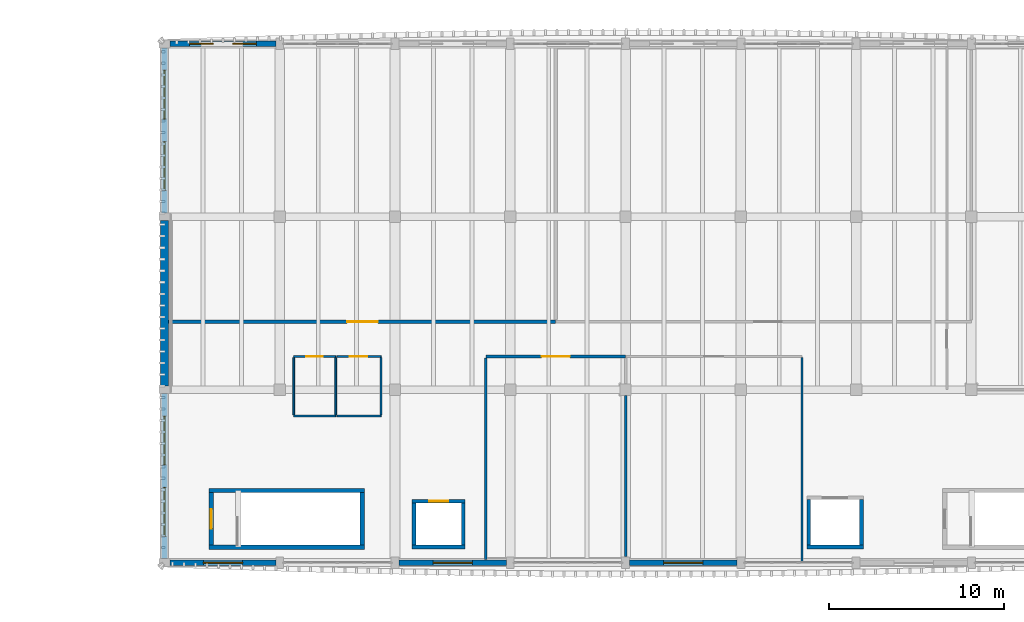
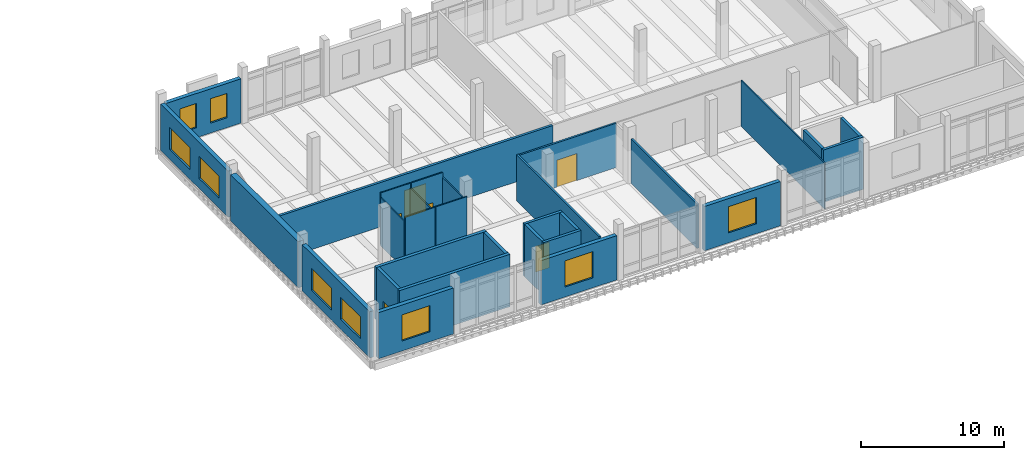
# One storey, part 23 of 37: 30 walls, 9 windows, 6 doors, 15 openings.
"""IFC4 building model written with IfcOpenShell, lengths in metres."""

from ifc_helpers import new_model, si_unit, direction, frame, frame_2d, origin, place, context, subcontext, project, spatial, rectangle, extrude, material, layer, layer_set, type_object, element, fill, save


model = new_model("IFC4")

# Units and contexts
model_context = context("Model", 3, precision=1e-05, world=origin(), true_north=direction((0.0, 1.0)))
body_context = subcontext(model_context, "Body", "Model", "MODEL_VIEW")
ifc_project = project(units=[si_unit("LENGTHUNIT", "METRE"), si_unit("AREAUNIT", "SQUARE_METRE"), si_unit("VOLUMEUNIT", "CUBIC_METRE"), si_unit("PLANEANGLEUNIT", "RADIAN"), si_unit("MASSUNIT", "GRAM", prefix="KILO")], contexts=[model_context])

# Site, building, storey
site_placement = place(None, origin())
site = spatial("IfcSite", under=ifc_project, at=site_placement, CompositionType="ELEMENT")
building_placement = place(site_placement, origin())
building = spatial("IfcBuilding", under=site, at=building_placement, Name="Dornvale Research Institute", CompositionType="ELEMENT")
storey_placement = place(building_placement, frame((0.0, 0.0, 29.39990234375)))
storey = spatial("IfcBuildingStorey", under=building, at=storey_placement, Name="L06", CompositionType="ELEMENT", Elevation=29.39990234375)

# Wall, opening, door
ifc_material_1 = material(Name="Fire-Rated Gypsum Board on Cold-Formed Steel Studs", Category="steel")
ifc_layer_1 = layer(ifc_material_1, 0.199951171875)
ifc_layer_set_1 = layer_set([ifc_layer_1], Name="Fire-Rated Gypsum Board on Cold-Formed Steel Studs")
wall_type_1 = type_object("IfcWallType", Name="Partition_FireWall_200", PredefinedType="PARTITIONING", material=ifc_layer_set_1)
wall_1_placement = place(storey_placement, frame((119.0400390625, 106.199951171875, 0.0), z_axis=(0.0, 0.0, 1.0), x_axis=(1.0, 0.0, 0.0)))
wall_1 = element("IfcWall", 1, at=wall_1_placement, inside=storey, type_object=wall_type_1, Name="L06 V4 interior partition #525", PredefinedType="PARTITIONING", context=body_context, shape_type="SweptSolid", body=[
    extrude(rectangle(XDim=22.159912109375, YDim=0.199951171875, at=frame_2d((11.080078125, 0.0))), origin(), (0.0, 0.0, 1.0), 3.780029296875),
])
opening_1_placement = place(wall_1_placement, frame((10.219970703125, 0.0, 0.0)))
opening_1 = element("IfcOpeningElement", 2, at=opening_1_placement, cuts=wall_1, Name="Opening ID-14", PredefinedType="OPENING", context=body_context, shape_type="SweptSolid", body=[
    extrude(rectangle(XDim=1.760009765625, YDim=2.35009765625, at=frame_2d((0.8798828125, 1.175048828125))), frame((0.0, 0.114990234375, 0.0), z_axis=(0.0, -1.0, 0.0), x_axis=(1.0, 0.0, 0.0)), (0.0, 0.0, 1.0), 0.22998046875),
])
ifc_material_2 = material(Name="Insulated Fire-Rated Hollow Metal Door Assembly")
door_type_1 = type_object("IfcDoorType", Name="Door_Plant_1760x2350", OperationType="SINGLE_SWING_LEFT", PredefinedType="DOOR", material=ifc_material_2)
door_1_placement = place(opening_1_placement, origin())
door_1 = element("IfcDoor", 3, at=door_1_placement, inside=storey, type_object=door_type_1, Name="L06 High-Plume Laboratory Exhaust Fan and Heat-Recovery Plant door #217", OperationType="DOUBLE_DOOR_SINGLE_SWING", OverallHeight=2.35009765625, OverallWidth=1.760009765625, PredefinedType="DOOR", context=body_context, shape_type="SweptSolid", body=[
    extrude(rectangle(XDim=1.760009765625, YDim=2.35009765625, at=frame_2d((0.8798828125, 1.175048828125))), frame((0.0, 0.02490234375, 0.0), z_axis=(0.0, -1.0, 0.0), x_axis=(1.0, 0.0, 0.0)), (0.0, 0.0, 1.0), 0.050048828125),
])
fill(opening_1, door_1)

ifc_material_3 = material(Name="Acoustic Insulated Double-Stud Laboratory Partition")
ifc_layer_2 = layer(ifc_material_3, 0.14990234375)
ifc_layer_set_2 = layer_set([ifc_layer_2], Name="Acoustic Insulated Double-Stud Laboratory Partition")
wall_type_2 = type_object("IfcWallType", Name="Partition_Lab_150", PredefinedType="PARTITIONING", material=ifc_layer_set_2)
wall_2_placement = place(storey_placement, frame((137.199951171875, 104.199951171875, 0.0), z_axis=(0.0, 0.0, 1.0), x_axis=(1.0, 0.0, 0.0)))
wall_2 = element("IfcWall", 4, at=wall_2_placement, inside=storey, type_object=wall_type_2, Name="L06 V4 interior partition #533", PredefinedType="PARTITIONING", context=body_context, shape_type="SweptSolid", body=[
    extrude(rectangle(XDim=8.0, YDim=0.14990234375, at=frame_2d((4.0, 0.0))), origin(), (0.0, 0.0, 1.0), 3.780029296875),
])
opening_2_placement = place(wall_2_placement, frame((3.18994140625, 0.0, 0.0)))
opening_2 = element("IfcOpeningElement", 5, at=opening_2_placement, cuts=wall_2, Name="Opening ID-04", PredefinedType="OPENING", context=body_context, shape_type="SweptSolid", body=[
    extrude(rectangle(XDim=1.6201171875, YDim=2.300048828125, at=frame_2d((0.81005859375, 1.14990234375))), frame((0.0, 0.08984375, 0.0), z_axis=(0.0, -1.0, 0.0), x_axis=(1.0, 0.0, 0.0)), (0.0, 0.0, 1.0), 0.179931640625),
])
ifc_material_4 = material(Name="Insulated Fire-Rated Hollow Metal Door Assembly")
door_type_2 = type_object("IfcDoorType", Name="Door_WetLab_1620x2300", OperationType="SINGLE_SWING_LEFT", PredefinedType="DOOR", material=ifc_material_4)
door_2_placement = place(opening_2_placement, origin())
door_2 = element("IfcDoor", 6, at=door_2_placement, inside=storey, type_object=door_type_2, Name="L06 Laboratory Instrument Support Room L06 door #220", OperationType="SINGLE_SWING_LEFT", OverallHeight=2.300048828125, OverallWidth=1.6201171875, PredefinedType="DOOR", context=body_context, shape_type="SweptSolid", body=[
    extrude(rectangle(XDim=1.6201171875, YDim=2.300048828125, at=frame_2d((0.81005859375, 1.14990234375))), frame((0.0, 0.02490234375, 0.0), z_axis=(0.0, -1.0, 0.0), x_axis=(1.0, 0.0, 0.0)), (0.0, 0.0, 1.0), 0.050048828125),
])
fill(opening_2, door_2)

# Walls
wall_3_placement = place(storey_placement, frame((137.199951171875, 92.574951171875, 0.0), z_axis=(0.0, 0.0, 1.0), x_axis=(0.0, 1.0, 0.0)))
element("IfcWall", 7, at=wall_3_placement, inside=storey, type_object=wall_type_2, Name="L06 V4 interior partition #534", PredefinedType="PARTITIONING", context=body_context, shape_type="SweptSolid", body=[
    extrude(rectangle(XDim=11.53515625, YDim=0.14990234375, at=frame_2d((5.767578125, 0.0))), origin(), (0.0, 0.0, 1.0), 3.93017578125),
])
wall_4_placement = place(storey_placement, frame((145.199951171875, 92.7451171875, 0.0), z_axis=(0.0, 0.0, 1.0), x_axis=(0.0, 1.0, 0.0)))
element("IfcWall", 8, at=wall_4_placement, inside=storey, type_object=wall_type_2, Name="L06 V4 interior partition #535", PredefinedType="PARTITIONING", context=body_context, shape_type="SweptSolid", body=[
    extrude(rectangle(XDim=9.2099609375, YDim=0.14990234375, at=frame_2d((4.60498046875, 0.0))), origin(), (0.0, 0.0, 1.0), 3.780029296875),
])
ifc_material_5 = material(Name="Acoustic Insulated Double-Stud Laboratory Partition")
ifc_layer_3 = layer(ifc_material_5, 0.10009765625)
ifc_layer_set_3 = layer_set([ifc_layer_3], Name="Acoustic Insulated Double-Stud Laboratory Partition")
wall_type_3 = type_object("IfcWallType", Name="Partition_Office_100", PredefinedType="PARTITIONING", material=ifc_layer_set_3)
wall_5_placement = place(storey_placement, frame((126.199951171875, 100.800048828125, 0.0), z_axis=(0.0, 0.0, 1.0), x_axis=(1.0, 0.0, 0.0)))
element("IfcWall", 9, at=wall_5_placement, inside=storey, type_object=wall_type_3, Name="L06 V4 interior partition #518", PredefinedType="PARTITIONING", context=body_context, shape_type="SweptSolid", body=[
    extrude(rectangle(XDim=2.400146484375, YDim=0.10009765625, at=frame_2d((1.2001953125, 0.0))), origin(), (0.0, 0.0, 1.0), 4.460205078125),
])

# Wall, opening, door
wall_6_placement = place(storey_placement, frame((126.199951171875, 104.199951171875, 0.0), z_axis=(0.0, 0.0, 1.0), x_axis=(1.0, 0.0, 0.0)))
wall_6 = element("IfcWall", 10, at=wall_6_placement, inside=storey, type_object=wall_type_3, Name="L06 V4 interior partition #519", PredefinedType="PARTITIONING", context=body_context, shape_type="SweptSolid", body=[
    extrude(rectangle(XDim=2.400146484375, YDim=0.10009765625, at=frame_2d((1.2001953125, 0.0))), origin(), (0.0, 0.0, 1.0), 4.460205078125),
])
opening_3_placement = place(wall_6_placement, frame((0.72509765625, 0.0, 0.0)))
opening_3 = element("IfcOpeningElement", 11, at=opening_3_placement, cuts=wall_6, Name="Opening ID-23", PredefinedType="OPENING", context=body_context, shape_type="SweptSolid", body=[
    extrude(rectangle(XDim=0.949951171875, YDim=2.14990234375, at=frame_2d((0.47509765625, 1.074951171875))), frame((0.0, 0.06494140625, 0.0), z_axis=(0.0, -1.0, 0.0), x_axis=(1.0, 0.0, 0.0)), (0.0, 0.0, 1.0), 0.130126953125),
])
ifc_material_6 = material(Name="Phenolic-Faced Solid-Core Laboratory Door Assembly")
door_type_3 = type_object("IfcDoorType", Name="Door_WC_950x2150", OperationType="SINGLE_SWING_LEFT", PredefinedType="DOOR", material=ifc_material_6)
door_3_placement = place(opening_3_placement, origin())
door_3 = element("IfcDoor", 12, at=door_3_placement, inside=storey, type_object=door_type_3, Name="L06 Wet Wing Male Restroom L06 door #215", OperationType="SINGLE_SWING_RIGHT", OverallHeight=2.14990234375, OverallWidth=0.949951171875, PredefinedType="DOOR", context=body_context, shape_type="SweptSolid", body=[
    extrude(rectangle(XDim=0.949951171875, YDim=2.14990234375, at=frame_2d((0.47509765625, 1.074951171875))), frame((0.0, 0.02490234375, 0.0), z_axis=(0.0, -1.0, 0.0), x_axis=(1.0, 0.0, 0.0)), (0.0, 0.0, 1.0), 0.050048828125),
])
fill(opening_3, door_3)

# Walls
for number, where, z_axis, x_axis, name in (
    (13, (126.199951171875, 100.864990234375, 0.0), (0.0, 0.0, 1.0), (0.0, 1.0, 0.0), "L06 V4 interior partition #520"),
    (14, (128.60009765625, 100.864990234375, 0.0), (0.0, 0.0, 1.0), (0.0, 1.0, 0.0), "L06 V4 interior partition #521"),
):
    element("IfcWall", number, at=place(storey_placement, frame(where, z_axis=z_axis, x_axis=x_axis)), inside=storey, type_object=wall_type_3, Name=name, PredefinedType="PARTITIONING", context=body_context, shape_type="SweptSolid", body=[
        extrude(rectangle(XDim=3.27001953125, YDim=0.10009765625, at=frame_2d((1.635009765625, 0.0))), origin(), (0.0, 0.0, 1.0), 4.065185546875),
    ])
wall_7_placement = place(storey_placement, frame((128.6650390625, 100.800048828125, 0.0), z_axis=(0.0, 0.0, 1.0), x_axis=(1.0, 0.0, 0.0)))
element("IfcWall", 15, at=wall_7_placement, inside=storey, type_object=wall_type_3, Name="L06 V4 interior partition #522", PredefinedType="PARTITIONING", context=body_context, shape_type="SweptSolid", body=[
    extrude(rectangle(XDim=2.534912109375, YDim=0.10009765625, at=frame_2d((1.267578125, 0.0))), origin(), (0.0, 0.0, 1.0), 4.460205078125),
])

# Wall, opening, door
wall_8_placement = place(storey_placement, frame((128.6650390625, 104.199951171875, 0.0), z_axis=(0.0, 0.0, 1.0), x_axis=(1.0, 0.0, 0.0)))
wall_8 = element("IfcWall", 16, at=wall_8_placement, inside=storey, type_object=wall_type_3, Name="L06 V4 interior partition #523", PredefinedType="PARTITIONING", context=body_context, shape_type="SweptSolid", body=[
    extrude(rectangle(XDim=2.534912109375, YDim=0.10009765625, at=frame_2d((1.267578125, 0.0))), origin(), (0.0, 0.0, 1.0), 4.460205078125),
])
opening_4_placement = place(wall_8_placement, frame((0.735107421875, 0.0, 0.0)))
opening_4 = element("IfcOpeningElement", 17, at=opening_4_placement, cuts=wall_8, Name="Opening ID-24", PredefinedType="OPENING", context=body_context, shape_type="SweptSolid", body=[
    extrude(rectangle(XDim=1.0, YDim=2.14990234375, at=frame_2d((0.5, 1.074951171875))), frame((0.0, 0.06494140625, 0.0), z_axis=(0.0, -1.0, 0.0), x_axis=(1.0, 0.0, 0.0)), (0.0, 0.0, 1.0), 0.130126953125),
])
ifc_material_7 = material(Name="Phenolic-Faced Solid-Core Laboratory Door Assembly")
door_type_4 = type_object("IfcDoorType", Name="Door_AccWC_1000x2150", OperationType="SINGLE_SWING_LEFT", PredefinedType="DOOR", material=ifc_material_7)
door_4_placement = place(opening_4_placement, origin())
door_4 = element("IfcDoor", 18, at=door_4_placement, inside=storey, type_object=door_type_4, Name="L06 Wet Wing Female and Accessible Restroom L06 door #216", OperationType="SINGLE_SWING_LEFT", OverallHeight=2.14990234375, OverallWidth=1.0, PredefinedType="DOOR", context=body_context, shape_type="SweptSolid", body=[
    extrude(rectangle(XDim=1.0, YDim=2.14990234375, at=frame_2d((0.5, 1.074951171875))), frame((0.0, 0.02490234375, 0.0), z_axis=(0.0, -1.0, 0.0), x_axis=(1.0, 0.0, 0.0)), (0.0, 0.0, 1.0), 0.050048828125),
])
fill(opening_4, door_4)

# Walls
wall_9_placement = place(storey_placement, frame((131.199951171875, 100.864990234375, 0.0), z_axis=(0.0, 0.0, 1.0), x_axis=(0.0, 1.0, 0.0)))
element("IfcWall", 19, at=wall_9_placement, inside=storey, type_object=wall_type_3, Name="L06 V4 interior partition #524", PredefinedType="PARTITIONING", context=body_context, shape_type="SweptSolid", body=[
    extrude(rectangle(XDim=3.27001953125, YDim=0.10009765625, at=frame_2d((1.635009765625, 0.0))), origin(), (0.0, 0.0, 1.0), 4.065185546875),
])
wall_10_placement = place(storey_placement, frame((155.300048828125, 92.43994140625, 0.0), z_axis=(0.0, 0.0, 1.0), x_axis=(0.0, 1.0, 0.0)))
element("IfcWall", 20, at=wall_10_placement, inside=storey, type_object=wall_type_3, Name="L06 V4 interior partition #538", PredefinedType="PARTITIONING", context=body_context, shape_type="SweptSolid", body=[
    extrude(rectangle(XDim=11.695068359375, YDim=0.10009765625, at=frame_2d((5.84765625, 0.0))), origin(), (0.0, 0.0, 1.0), 3.93017578125),
])
ifc_material_8 = material(Name="Concrete f'c 45 MPa (C35/45)", Category="concrete")
ifc_layer_4 = layer(ifc_material_8, 0.25)
ifc_layer_set_4 = layer_set([ifc_layer_4], Name="Concrete f'c 45 MPa (C35/45)")
wall_type_4 = type_object("IfcWallType", Name="ShearWall_Core_250", PredefinedType="SHEAR", material=ifc_layer_set_4)
for number, where, z_axis, x_axis, name in (
    (21, (121.35009765625, 93.27490234375, 0.0), (0.0, 0.0, 1.0), (1.0, 0.0, 0.0), "L06 ST-3 shaft shear wall south"),
    (22, (121.35009765625, 96.52490234375, 0.0), (0.0, 0.0, 1.0), (1.0, 0.0, 0.0), "L06 ST-3 shaft shear wall north"),
):
    element("IfcWall", number, at=place(storey_placement, frame(where, z_axis=z_axis, x_axis=x_axis)), inside=storey, type_object=wall_type_4, Name=name, PredefinedType="SHEAR", context=body_context, shape_type="SweptSolid", body=[
        extrude(rectangle(XDim=8.89990234375, YDim=0.25, at=frame_2d((4.449951171875, 0.0))), origin(), (0.0, 0.0, 1.0), 4.47998046875),
    ])

# Wall, opening, door
wall_11_placement = place(storey_placement, frame((121.47509765625, 93.39990234375, 0.0), z_axis=(0.0, 0.0, 1.0), x_axis=(0.0, 1.0, 0.0)))
wall_11 = element("IfcWall", 23, at=wall_11_placement, inside=storey, type_object=wall_type_4, Name="L06 ST-3 shaft shear wall west", PredefinedType="SHEAR", context=body_context, shape_type="SweptSolid", body=[
    extrude(rectangle(XDim=3.0, YDim=0.25, at=frame_2d((1.5, 0.0))), origin(), (0.0, 0.0, 1.0), 4.47998046875),
])
opening_5_placement = place(wall_11_placement, frame((0.93994140625, 0.0, 0.0)))
opening_5 = element("IfcOpeningElement", 24, at=opening_5_placement, cuts=wall_11, Name="Opening SD-01", PredefinedType="OPENING", context=body_context, shape_type="SweptSolid", body=[
    extrude(rectangle(XDim=1.1201171875, YDim=2.199951171875, at=frame_2d((0.56005859375, 1.10009765625))), frame((0.0, 0.139892578125, 0.0), z_axis=(0.0, -1.0, 0.0), x_axis=(1.0, 0.0, 0.0)), (0.0, 0.0, 1.0), 0.280029296875),
])
ifc_material_9 = material(Name="Insulated Fire-Rated Hollow Metal Door Assembly")
door_type_5 = type_object("IfcDoorType", Name="Door_Stair_1120x2200", OperationType="SINGLE_SWING_LEFT", PredefinedType="DOOR", material=ifc_material_9)
door_5_placement = place(opening_5_placement, origin())
door_5 = element("IfcDoor", 25, at=door_5_placement, inside=storey, type_object=door_type_5, Name="L06 ST-3 exit stair door #32", OperationType="SINGLE_SWING_RIGHT", OverallHeight=2.199951171875, OverallWidth=1.1201171875, PredefinedType="DOOR", context=body_context, shape_type="SweptSolid", body=[
    extrude(rectangle(XDim=1.1201171875, YDim=2.199951171875, at=frame_2d((0.56005859375, 1.10009765625))), frame((0.0, 0.02490234375, 0.0), z_axis=(0.0, -1.0, 0.0), x_axis=(1.0, 0.0, 0.0)), (0.0, 0.0, 1.0), 0.050048828125),
])
fill(opening_5, door_5)

# Walls
wall_12_placement = place(storey_placement, frame((130.125, 93.39990234375, 0.0), z_axis=(0.0, 0.0, 1.0), x_axis=(0.0, 1.0, 0.0)))
element("IfcWall", 26, at=wall_12_placement, inside=storey, type_object=wall_type_4, Name="L06 ST-3 shaft shear wall east", PredefinedType="SHEAR", context=body_context, shape_type="SweptSolid", body=[
    extrude(rectangle(XDim=3.0, YDim=0.25, at=frame_2d((1.5, 0.0))), origin(), (0.0, 0.0, 1.0), 4.47998046875),
])
ifc_material_10 = material(Name="Concrete f'c 45 MPa (C35/45)", Category="concrete")
ifc_layer_5 = layer(ifc_material_10, 0.219970703125)
ifc_layer_set_5 = layer_set([ifc_layer_5], Name="Concrete f'c 45 MPa (C35/45)")
wall_type_5 = type_object("IfcWallType", Name="ShearWall_Shaft_220", PredefinedType="SHEAR", material=ifc_layer_set_5)
wall_13_placement = place(storey_placement, frame((132.97998046875, 93.2900390625, 0.0), z_axis=(0.0, 0.0, 1.0), x_axis=(1.0, 0.0, 0.0)))
element("IfcWall", 27, at=wall_13_placement, inside=storey, type_object=wall_type_5, Name="L06 LP2 elevator shaft wall south", PredefinedType="SHEAR", context=body_context, shape_type="SweptSolid", body=[
    extrude(rectangle(XDim=3.0400390625, YDim=0.219970703125, at=frame_2d((1.52001953125, 0.0))), origin(), (0.0, 0.0, 1.0), 4.47998046875),
])

# Wall, opening, door
wall_14_placement = place(storey_placement, frame((132.97998046875, 95.909912109375, 0.0), z_axis=(0.0, 0.0, 1.0), x_axis=(1.0, 0.0, 0.0)))
wall_14 = element("IfcWall", 28, at=wall_14_placement, inside=storey, type_object=wall_type_5, Name="L06 LP2 elevator shaft wall north", PredefinedType="SHEAR", context=body_context, shape_type="SweptSolid", body=[
    extrude(rectangle(XDim=3.0400390625, YDim=0.219970703125, at=frame_2d((1.52001953125, 0.0))), origin(), (0.0, 0.0, 1.0), 4.47998046875),
])
opening_6_placement = place(wall_14_placement, frame((0.969970703125, 0.0, 0.0)))
opening_6 = element("IfcOpeningElement", 29, at=opening_6_placement, cuts=wall_14, Name="Opening LD-02", PredefinedType="OPENING", context=body_context, shape_type="SweptSolid", body=[
    extrude(rectangle(XDim=1.10009765625, YDim=2.199951171875, at=frame_2d((0.550048828125, 1.10009765625))), frame((0.0, 0.125, 0.0), z_axis=(0.0, -1.0, 0.0), x_axis=(1.0, 0.0, 0.0)), (0.0, 0.0, 1.0), 0.25),
])
ifc_material_11 = material(Name="Brushed Stainless Steel Sliding Elevator Landing Door", Category="steel")
door_type_6 = type_object("IfcDoorType", Name="Door_LiftLanding_Pass_1100x2200", OperationType="SINGLE_SWING_LEFT", PredefinedType="DOOR", material=ifc_material_11)
door_6_placement = place(opening_6_placement, origin())
door_6 = element("IfcDoor", 30, at=door_6_placement, inside=storey, type_object=door_type_6, Name="L06 LP2 sliding elevator landing door #44", OperationType="SLIDING_TO_LEFT", OverallHeight=2.199951171875, OverallWidth=1.10009765625, PredefinedType="DOOR", context=body_context, shape_type="SweptSolid", body=[
    extrude(rectangle(XDim=1.10009765625, YDim=2.199951171875, at=frame_2d((0.550048828125, 1.10009765625))), frame((0.0, 0.02490234375, 0.0), z_axis=(0.0, -1.0, 0.0), x_axis=(1.0, 0.0, 0.0)), (0.0, 0.0, 1.0), 0.050048828125),
])
fill(opening_6, door_6)

# Walls
for number, where, z_axis, x_axis, name in (
    (31, (133.090087890625, 93.39990234375, 0.0), (0.0, 0.0, 1.0), (0.0, 1.0, 0.0), "L06 LP2 elevator shaft wall west"),
    (32, (135.909912109375, 93.39990234375, 0.0), (0.0, 0.0, 1.0), (0.0, 1.0, 0.0), "L06 LP2 elevator shaft wall east"),
):
    element("IfcWall", number, at=place(storey_placement, frame(where, z_axis=z_axis, x_axis=x_axis)), inside=storey, type_object=wall_type_5, Name=name, PredefinedType="SHEAR", context=body_context, shape_type="SweptSolid", body=[
        extrude(rectangle(XDim=2.400146484375, YDim=0.219970703125, at=frame_2d((1.2001953125, 0.0))), origin(), (0.0, 0.0, 1.0), 4.47998046875),
    ])
wall_15_placement = place(storey_placement, frame((155.580078125, 93.2900390625, 0.0), z_axis=(0.0, 0.0, 1.0), x_axis=(1.0, 0.0, 0.0)))
element("IfcWall", 33, at=wall_15_placement, inside=storey, type_object=wall_type_5, Name="L06 LS1 elevator shaft wall south", PredefinedType="SHEAR", context=body_context, shape_type="SweptSolid", body=[
    extrude(rectangle(XDim=3.239990234375, YDim=0.219970703125, at=frame_2d((1.6201171875, 0.0))), origin(), (0.0, 0.0, 1.0), 4.47998046875),
])
for number, where, z_axis, x_axis, name in (
    (34, (155.68994140625, 93.39990234375, 0.0), (0.0, 0.0, 1.0), (0.0, 1.0, 0.0), "L06 LS1 elevator shaft wall west"),
    (35, (158.7099609375, 93.39990234375, 0.0), (0.0, 0.0, 1.0), (0.0, 1.0, 0.0), "L06 LS1 elevator shaft wall east"),
):
    element("IfcWall", number, at=place(storey_placement, frame(where, z_axis=z_axis, x_axis=x_axis)), inside=storey, type_object=wall_type_5, Name=name, PredefinedType="SHEAR", context=body_context, shape_type="SweptSolid", body=[
        extrude(rectangle(XDim=2.60009765625, YDim=0.219970703125, at=frame_2d((1.300048828125, 0.0))), origin(), (0.0, 0.0, 1.0), 4.47998046875),
    ])
ifc_material_12 = material(Name="Precast Concrete f'c 40 MPa (C32/40) and Glazed Terracotta Backup Wall", Category="masonry")
ifc_layer_6 = layer(ifc_material_12, 0.449951171875)
ifc_layer_set_6 = layer_set([ifc_layer_6], Name="Precast Concrete f'c 40 MPa (C32/40) and Glazed Terracotta Backup Wall")
wall_type_6 = type_object("IfcWallType", Name="SolidWall_ShearBraceBay_450", PredefinedType="SOLIDWALL", material=ifc_layer_set_6)
wall_16_placement = place(storey_placement, frame((118.800048828125, 102.52490234375, 0.0), z_axis=(0.0, 0.0, 1.0), x_axis=(0.0, 1.0, 0.0)))
element("IfcWall", 36, at=wall_16_placement, inside=storey, type_object=wall_type_6, Name="L06 V4 west exterior wall #276", PredefinedType="SOLIDWALL", context=body_context, shape_type="SweptSolid", body=[
    extrude(rectangle(XDim=9.4501953125, YDim=0.449951171875, at=frame_2d((4.72509765625, 0.0))), origin(), (0.0, 0.0, 1.0), 3.9501953125),
])

# Wall, openings, windows
ifc_material_13 = material(Name="Catalan Pressed Brick and Insulated Cavity Assembly", Category="masonry")
ifc_layer_7 = layer(ifc_material_13, 0.320068359375)
ifc_layer_set_7 = layer_set([ifc_layer_7], Name="Catalan Pressed Brick and Insulated Cavity Assembly")
wall_type_7 = type_object("IfcWallType", Name="StandardWall_BrickCavity_320", PredefinedType="STANDARD", material=ifc_layer_set_7)
wall_17_placement = place(storey_placement, frame((118.800048828125, 92.625, 0.0), z_axis=(0.0, 0.0, 1.0), x_axis=(0.0, 1.0, 0.0)))
wall_17 = element("IfcWall", 37, at=wall_17_placement, inside=storey, type_object=wall_type_7, Name="L06 V4 west exterior wall #275", PredefinedType="STANDARD", context=body_context, shape_type="SweptSolid", body=[
    extrude(rectangle(XDim=9.449951171875, YDim=0.320068359375, at=frame_2d((4.72509765625, 0.0))), origin(), (0.0, 0.0, 1.0), 3.9501953125),
])
opening_7_placement = place(wall_17_placement, frame((1.283203125, 0.0, 0.85009765625)))
opening_7 = element("IfcOpeningElement", 38, at=opening_7_placement, cuts=wall_17, Name="Opening W-35", PredefinedType="OPENING", context=body_context, shape_type="SweptSolid", body=[
    extrude(rectangle(XDim=2.800048828125, YDim=1.8798828125, at=frame_2d((1.39990234375, 0.93994140625))), frame((0.0, 0.175048828125, 0.0), z_axis=(0.0, -1.0, 0.0), x_axis=(1.0, 0.0, 0.0)), (0.0, 0.0, 1.0), 0.35009765625),
])
opening_8_placement = place(wall_17_placement, frame((5.36669921875, 0.0, 0.85009765625)))
opening_8 = element("IfcOpeningElement", 39, at=opening_8_placement, cuts=wall_17, Name="Opening W-35", PredefinedType="OPENING", context=body_context, shape_type="SweptSolid", body=[
    extrude(rectangle(XDim=2.800048828125, YDim=1.8798828125, at=frame_2d((1.39990234375, 0.93994140625))), frame((0.0, 0.175048828125, 0.0), z_axis=(0.0, -1.0, 0.0), x_axis=(1.0, 0.0, 0.0)), (0.0, 0.0, 1.0), 0.35009765625),
])
ifc_material_14 = material(Name="Low-E Argon Double Insulating Glazing Unit", Category="glass")
window_type_1 = type_object("IfcWindowType", Name="Window_Alu_2800x1880_35", PartitioningType="DOUBLE_PANEL_VERTICAL", PredefinedType="WINDOW", material=ifc_material_14)
window_1_placement = place(opening_7_placement, origin())
window_1 = element("IfcWindow", 40, at=window_1_placement, inside=storey, type_object=window_type_1, Name="L06 V4 facade window W-35 #381", OverallHeight=1.8798828125, OverallWidth=2.800048828125, PartitioningType="DOUBLE_PANEL_VERTICAL", PredefinedType="WINDOW", context=body_context, shape_type="SweptSolid", body=[
    extrude(rectangle(XDim=2.800048828125, YDim=1.8798828125, at=frame_2d((1.39990234375, 0.93994140625))), frame((0.0, 0.030029296875, 0.0), z_axis=(0.0, -1.0, 0.0), x_axis=(1.0, 0.0, 0.0)), (0.0, 0.0, 1.0), 0.06005859375),
])
fill(opening_7, window_1)
window_2_placement = place(opening_8_placement, origin())
window_2 = element("IfcWindow", 41, at=window_2_placement, inside=storey, type_object=window_type_1, Name="L06 V4 facade window W-35 #382", OverallHeight=1.8798828125, OverallWidth=2.800048828125, PartitioningType="DOUBLE_PANEL_VERTICAL", PredefinedType="WINDOW", context=body_context, shape_type="SweptSolid", body=[
    extrude(rectangle(XDim=2.800048828125, YDim=1.8798828125, at=frame_2d((1.39990234375, 0.93994140625))), frame((0.0, 0.030029296875, 0.0), z_axis=(0.0, -1.0, 0.0), x_axis=(1.0, 0.0, 0.0)), (0.0, 0.0, 1.0), 0.06005859375),
])
fill(opening_8, window_2)

wall_18_placement = place(storey_placement, frame((118.800048828125, 112.425048828125, 0.0), z_axis=(0.0, 0.0, 1.0), x_axis=(0.0, 1.0, 0.0)))
wall_18 = element("IfcWall", 42, at=wall_18_placement, inside=storey, type_object=wall_type_7, Name="L06 V4 west exterior wall #277", PredefinedType="STANDARD", context=body_context, shape_type="SweptSolid", body=[
    extrude(rectangle(XDim=9.449951171875, YDim=0.320068359375, at=frame_2d((4.72509765625, 0.0))), origin(), (0.0, 0.0, 1.0), 3.9501953125),
])
opening_9_placement = place(wall_18_placement, frame((1.283203125, 0.0, 0.85009765625)))
opening_9 = element("IfcOpeningElement", 43, at=opening_9_placement, cuts=wall_18, Name="Opening W-35", PredefinedType="OPENING", context=body_context, shape_type="SweptSolid", body=[
    extrude(rectangle(XDim=2.800048828125, YDim=1.8798828125, at=frame_2d((1.39990234375, 0.93994140625))), frame((0.0, 0.175048828125, 0.0), z_axis=(0.0, -1.0, 0.0), x_axis=(1.0, 0.0, 0.0)), (0.0, 0.0, 1.0), 0.35009765625),
])
opening_10_placement = place(wall_18_placement, frame((5.36669921875, 0.0, 0.85009765625)))
opening_10 = element("IfcOpeningElement", 44, at=opening_10_placement, cuts=wall_18, Name="Opening W-35", PredefinedType="OPENING", context=body_context, shape_type="SweptSolid", body=[
    extrude(rectangle(XDim=2.800048828125, YDim=1.8798828125, at=frame_2d((1.39990234375, 0.93994140625))), frame((0.0, 0.175048828125, 0.0), z_axis=(0.0, -1.0, 0.0), x_axis=(1.0, 0.0, 0.0)), (0.0, 0.0, 1.0), 0.35009765625),
])
window_3_placement = place(opening_9_placement, origin())
window_3 = element("IfcWindow", 45, at=window_3_placement, inside=storey, type_object=window_type_1, Name="L06 V4 facade window W-35 #383", OverallHeight=1.8798828125, OverallWidth=2.800048828125, PartitioningType="DOUBLE_PANEL_VERTICAL", PredefinedType="WINDOW", context=body_context, shape_type="SweptSolid", body=[
    extrude(rectangle(XDim=2.800048828125, YDim=1.8798828125, at=frame_2d((1.39990234375, 0.93994140625))), frame((0.0, 0.030029296875, 0.0), z_axis=(0.0, -1.0, 0.0), x_axis=(1.0, 0.0, 0.0)), (0.0, 0.0, 1.0), 0.06005859375),
])
fill(opening_9, window_3)
window_4_placement = place(opening_10_placement, origin())
window_4 = element("IfcWindow", 46, at=window_4_placement, inside=storey, type_object=window_type_1, Name="L06 V4 facade window W-35 #384", OverallHeight=1.8798828125, OverallWidth=2.800048828125, PartitioningType="DOUBLE_PANEL_VERTICAL", PredefinedType="WINDOW", context=body_context, shape_type="SweptSolid", body=[
    extrude(rectangle(XDim=2.800048828125, YDim=1.8798828125, at=frame_2d((1.39990234375, 0.93994140625))), frame((0.0, 0.030029296875, 0.0), z_axis=(0.0, -1.0, 0.0), x_axis=(1.0, 0.0, 0.0)), (0.0, 0.0, 1.0), 0.06005859375),
])
fill(opening_10, window_4)

wall_19_placement = place(storey_placement, frame((119.125, 122.10009765625, 0.0), z_axis=(0.0, 0.0, 1.0), x_axis=(1.0, 0.0, 0.0)))
wall_19 = element("IfcWall", 47, at=wall_19_placement, inside=storey, type_object=wall_type_7, Name="L06 V4 north exterior wall #278", PredefinedType="STANDARD", context=body_context, shape_type="SweptSolid", body=[
    extrude(rectangle(XDim=6.050048828125, YDim=0.320068359375, at=frame_2d((3.02490234375, 0.0))), origin(), (0.0, 0.0, 1.0), 3.780029296875),
])
opening_11_placement = place(wall_19_placement, frame((1.11669921875, 0.0, 0.85009765625)))
opening_11 = element("IfcOpeningElement", 48, at=opening_11_placement, cuts=wall_19, Name="Opening W-38", PredefinedType="OPENING", context=body_context, shape_type="SweptSolid", body=[
    extrude(rectangle(XDim=1.35009765625, YDim=2.080078125, at=frame_2d((0.675048828125, 1.0400390625))), frame((0.0, 0.175048828125, 0.0), z_axis=(0.0, -1.0, 0.0), x_axis=(1.0, 0.0, 0.0)), (0.0, 0.0, 1.0), 0.35009765625),
])
opening_12_placement = place(wall_19_placement, frame((3.58349609375, 0.0, 0.85009765625)))
opening_12 = element("IfcOpeningElement", 49, at=opening_12_placement, cuts=wall_19, Name="Opening W-38", PredefinedType="OPENING", context=body_context, shape_type="SweptSolid", body=[
    extrude(rectangle(XDim=1.35009765625, YDim=2.080078125, at=frame_2d((0.675048828125, 1.0400390625))), frame((0.0, 0.175048828125, 0.0), z_axis=(0.0, -1.0, 0.0), x_axis=(1.0, 0.0, 0.0)), (0.0, 0.0, 1.0), 0.35009765625),
])
ifc_material_15 = material(Name="Low-E Argon Double Insulating Glazing Unit", Category="glass")
window_type_2 = type_object("IfcWindowType", Name="Window_Alu_1350x2080_38", PartitioningType="SINGLE_PANEL", PredefinedType="WINDOW", material=ifc_material_15)
window_5_placement = place(opening_11_placement, origin())
window_5 = element("IfcWindow", 50, at=window_5_placement, inside=storey, type_object=window_type_2, Name="L06 V4 facade window W-38 #385", OverallHeight=2.080078125, OverallWidth=1.35009765625, PartitioningType="SINGLE_PANEL", PredefinedType="WINDOW", context=body_context, shape_type="SweptSolid", body=[
    extrude(rectangle(XDim=1.35009765625, YDim=2.080078125, at=frame_2d((0.675048828125, 1.0400390625))), frame((0.0, 0.030029296875, 0.0), z_axis=(0.0, -1.0, 0.0), x_axis=(1.0, 0.0, 0.0)), (0.0, 0.0, 1.0), 0.06005859375),
])
fill(opening_11, window_5)
window_6_placement = place(opening_12_placement, origin())
window_6 = element("IfcWindow", 51, at=window_6_placement, inside=storey, type_object=window_type_2, Name="L06 V4 facade window W-38 #386", OverallHeight=2.080078125, OverallWidth=1.35009765625, PartitioningType="SINGLE_PANEL", PredefinedType="WINDOW", context=body_context, shape_type="SweptSolid", body=[
    extrude(rectangle(XDim=1.35009765625, YDim=2.080078125, at=frame_2d((0.675048828125, 1.0400390625))), frame((0.0, 0.030029296875, 0.0), z_axis=(0.0, -1.0, 0.0), x_axis=(1.0, 0.0, 0.0)), (0.0, 0.0, 1.0), 0.06005859375),
])
fill(opening_12, window_6)

# Wall, opening, window
wall_20_placement = place(storey_placement, frame((151.574951171875, 92.39990234375, 0.0), z_axis=(0.0, 0.0, 1.0), x_axis=(-1.0, 0.0, 0.0)))
wall_20 = element("IfcWall", 52, at=wall_20_placement, inside=storey, type_object=wall_type_7, Name="L06 V4 south exterior wall #286", PredefinedType="STANDARD", context=body_context, shape_type="SweptSolid", body=[
    extrude(rectangle(XDim=6.14990234375, YDim=0.320068359375, at=frame_2d((3.074951171875, 0.0))), origin(), (0.0, 0.0, 1.0), 3.780029296875),
])
opening_13_placement = place(wall_20_placement, frame((1.949951171875, 0.0, 0.85009765625)))
opening_13 = element("IfcOpeningElement", 53, at=opening_13_placement, cuts=wall_20, Name="Opening W-44", PredefinedType="OPENING", context=body_context, shape_type="SweptSolid", body=[
    extrude(rectangle(XDim=2.25, YDim=2.239990234375, at=frame_2d((1.125, 1.1201171875))), frame((0.0, 0.175048828125, 0.0), z_axis=(0.0, -1.0, 0.0), x_axis=(1.0, 0.0, 0.0)), (0.0, 0.0, 1.0), 0.35009765625),
])
ifc_material_16 = material(Name="Low-E Argon Double Insulating Glazing Unit", Category="glass")
window_type_3 = type_object("IfcWindowType", Name="Window_Alu_2250x2240_44", PartitioningType="DOUBLE_PANEL_VERTICAL", PredefinedType="WINDOW", material=ifc_material_16)
window_7_placement = place(opening_13_placement, origin())
window_7 = element("IfcWindow", 54, at=window_7_placement, inside=storey, type_object=window_type_3, Name="L06 V4 facade window W-44 #400", OverallHeight=2.239990234375, OverallWidth=2.25, PartitioningType="DOUBLE_PANEL_VERTICAL", PredefinedType="WINDOW", context=body_context, shape_type="SweptSolid", body=[
    extrude(rectangle(XDim=2.25, YDim=2.239990234375, at=frame_2d((1.125, 1.1201171875))), frame((0.0, 0.030029296875, 0.0), z_axis=(0.0, -1.0, 0.0), x_axis=(1.0, 0.0, 0.0)), (0.0, 0.0, 1.0), 0.06005859375),
])
fill(opening_13, window_7)

wall_21_placement = place(storey_placement, frame((138.375, 92.39990234375, 0.0), z_axis=(0.0, 0.0, 1.0), x_axis=(-1.0, 0.0, 0.0)))
wall_21 = element("IfcWall", 55, at=wall_21_placement, inside=storey, type_object=wall_type_7, Name="L06 V4 south exterior wall #287", PredefinedType="STANDARD", context=body_context, shape_type="SweptSolid", body=[
    extrude(rectangle(XDim=6.14990234375, YDim=0.320068359375, at=frame_2d((3.074951171875, 0.0))), origin(), (0.0, 0.0, 1.0), 3.780029296875),
])
opening_14_placement = place(wall_21_placement, frame((1.949951171875, 0.0, 0.85009765625)))
opening_14 = element("IfcOpeningElement", 56, at=opening_14_placement, cuts=wall_21, Name="Opening W-44", PredefinedType="OPENING", context=body_context, shape_type="SweptSolid", body=[
    extrude(rectangle(XDim=2.25, YDim=2.239990234375, at=frame_2d((1.125, 1.1201171875))), frame((0.0, 0.175048828125, 0.0), z_axis=(0.0, -1.0, 0.0), x_axis=(1.0, 0.0, 0.0)), (0.0, 0.0, 1.0), 0.35009765625),
])
window_8_placement = place(opening_14_placement, origin())
window_8 = element("IfcWindow", 57, at=window_8_placement, inside=storey, type_object=window_type_3, Name="L06 V4 facade window W-44 #401", OverallHeight=2.239990234375, OverallWidth=2.25, PartitioningType="DOUBLE_PANEL_VERTICAL", PredefinedType="WINDOW", context=body_context, shape_type="SweptSolid", body=[
    extrude(rectangle(XDim=2.25, YDim=2.239990234375, at=frame_2d((1.125, 1.1201171875))), frame((0.0, 0.030029296875, 0.0), z_axis=(0.0, -1.0, 0.0), x_axis=(1.0, 0.0, 0.0)), (0.0, 0.0, 1.0), 0.06005859375),
])
fill(opening_14, window_8)

wall_22_placement = place(storey_placement, frame((125.175048828125, 92.39990234375, 0.0), z_axis=(0.0, 0.0, 1.0), x_axis=(-1.0, 0.0, 0.0)))
wall_22 = element("IfcWall", 58, at=wall_22_placement, inside=storey, type_object=wall_type_7, Name="L06 V4 south exterior wall #288", PredefinedType="STANDARD", context=body_context, shape_type="SweptSolid", body=[
    extrude(rectangle(XDim=6.050048828125, YDim=0.320068359375, at=frame_2d((3.02490234375, 0.0))), origin(), (0.0, 0.0, 1.0), 3.93017578125),
])
opening_15_placement = place(wall_22_placement, frame((1.89990234375, 0.0, 0.85009765625)))
opening_15 = element("IfcOpeningElement", 59, at=opening_15_placement, cuts=wall_22, Name="Opening W-44", PredefinedType="OPENING", context=body_context, shape_type="SweptSolid", body=[
    extrude(rectangle(XDim=2.25, YDim=2.239990234375, at=frame_2d((1.125, 1.1201171875))), frame((0.0, 0.175048828125, 0.0), z_axis=(0.0, -1.0, 0.0), x_axis=(1.0, 0.0, 0.0)), (0.0, 0.0, 1.0), 0.35009765625),
])
window_9_placement = place(opening_15_placement, origin())
window_9 = element("IfcWindow", 60, at=window_9_placement, inside=storey, type_object=window_type_3, Name="L06 V4 facade window W-44 #402", OverallHeight=2.239990234375, OverallWidth=2.25, PartitioningType="DOUBLE_PANEL_VERTICAL", PredefinedType="WINDOW", context=body_context, shape_type="SweptSolid", body=[
    extrude(rectangle(XDim=2.25, YDim=2.239990234375, at=frame_2d((1.125, 1.1201171875))), frame((0.0, 0.030029296875, 0.0), z_axis=(0.0, -1.0, 0.0), x_axis=(1.0, 0.0, 0.0)), (0.0, 0.0, 1.0), 0.06005859375),
])
fill(opening_15, window_9)

save(model, "model.ifc")
